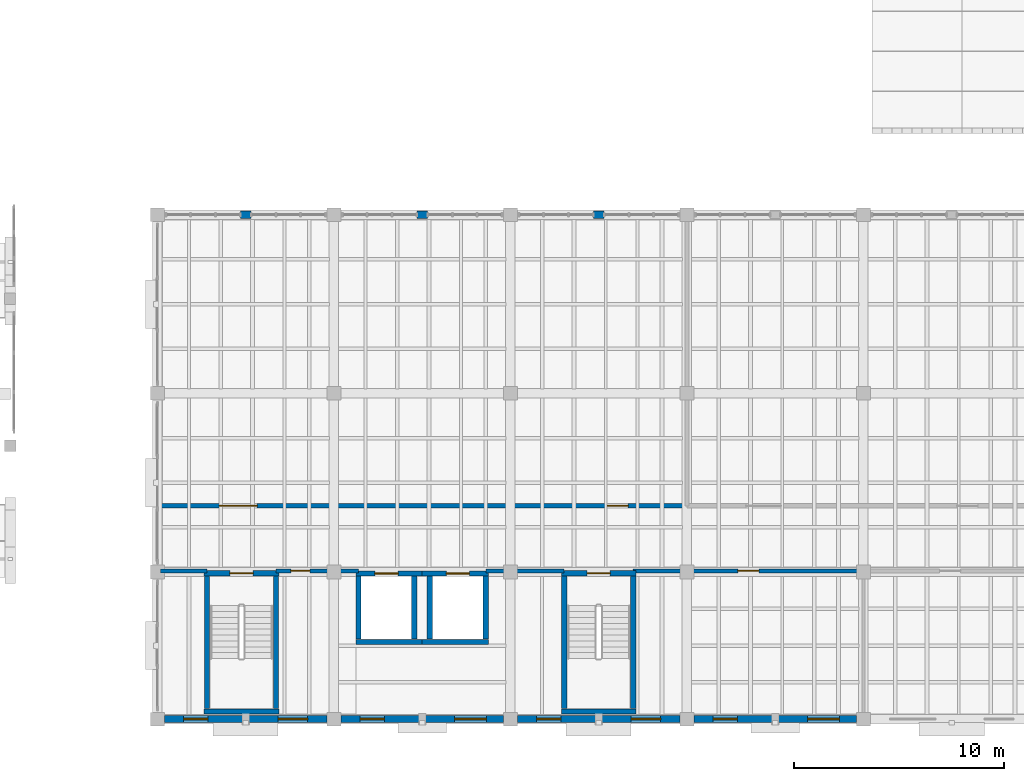
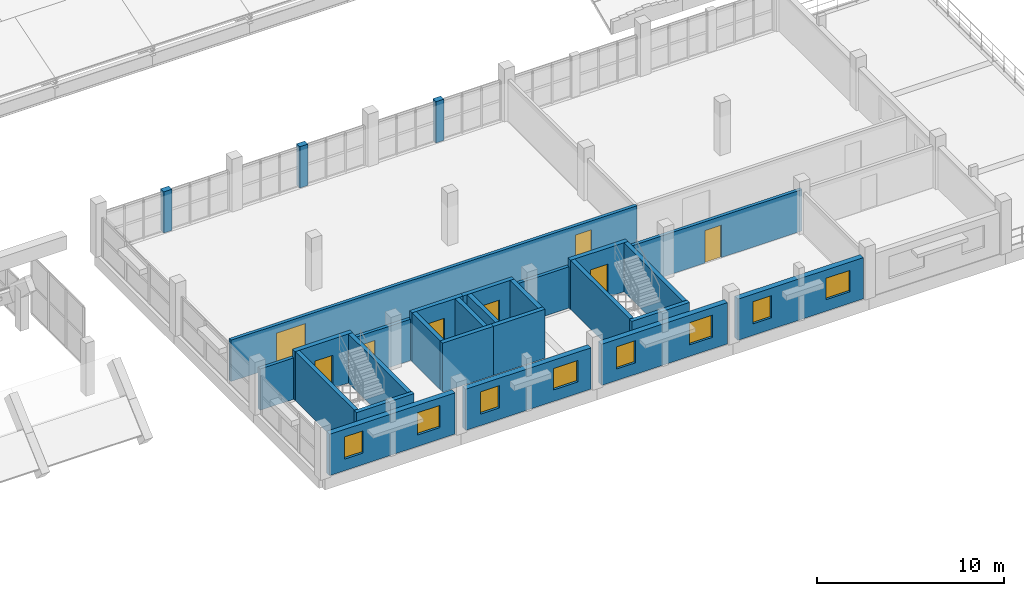
# One storey, part 36 of 48: 28 walls, 8 doors, 8 windows, 16 openings.
"""IFC4 building model written with IfcOpenShell, lengths in metres."""

import ifcopenshell
import ifcopenshell.guid

model = None  # the IFC model being written
_history = None  # IfcOwnerHistory: only IFC2X3 demands one
_inside = {}  # id of a spatial element -> (the spatial element, [elements in it])
_under = {}  # id of a project, library or spatial element -> (it, [spatial elements below it])
_declared = {}  # id of a project -> (the project, [libraries it declares])
_typed = {}  # id of a type object -> (the type object, [elements of that type])
_made_of = {}  # id of a material, layer set ... -> (it, [elements and type objects made of it])


def new_model(schema):
    """Start an empty IFC model of exactly this schema.

    Asked for "IFC4X3", IfcOpenShell would pick the latest addendum, in which some entities
    have other attributes; the version numbers below select the first issue.
    IFC2X3 requires an IfcOwnerHistory on every rooted entity: one is made here for all.
    """
    global model, _history
    if schema == "IFC4X3":
        model = ifcopenshell.file(schema_version=(4, 3, 0, 0))
    else:
        model = ifcopenshell.file(schema=schema)
    _inside.clear()
    _under.clear()
    _declared.clear()
    _typed.clear()
    _made_of.clear()
    _history = None
    if model.schema == "IFC2X3":
        org = make("IfcOrganization", Name="unknown")
        user = make(
            "IfcPersonAndOrganization",
            ThePerson=make("IfcPerson", FamilyName="unknown"),
            TheOrganization=org,
        )
        app = make(
            "IfcApplication",
            ApplicationDeveloper=org,
            Version="unknown",
            ApplicationFullName="unknown",
            ApplicationIdentifier="unknown",
        )
        _history = make(
            "IfcOwnerHistory",
            OwningUser=user,
            OwningApplication=app,
            ChangeAction="ADDED",
            CreationDate=0,
        )
    return model


def make(cls, **values):
    """One entity of the class cls with the attributes given. An attribute that is None is left unset."""
    return model.create_entity(
        cls, **{name: value for name, value in values.items() if value is not None}
    )


def rooted(cls, **values):
    """An entity with a GlobalId (a new one), such as an element, a storey or a relation."""
    return make(cls, GlobalId=ifcopenshell.guid.new(), OwnerHistory=_history, **values)


def si_unit(unit_type, name, prefix=None):
    """IfcSIUnit, for example si_unit("LENGTHUNIT", "METRE", prefix="MILLI")."""
    return make("IfcSIUnit", UnitType=unit_type, Prefix=prefix, Name=name)


def assignment(units):
    """IfcUnitAssignment: the units of a project."""
    return None if units is None else make("IfcUnitAssignment", Units=units)


def point(xyz):
    """IfcCartesianPoint."""
    return None if xyz is None else make("IfcCartesianPoint", Coordinates=xyz)


def direction(xyz):
    """IfcDirection."""
    return None if xyz is None else make("IfcDirection", DirectionRatios=xyz)


def frame(location, z_axis=None, x_axis=None):
    """IfcAxis2Placement3D, a coordinate frame: its origin and axes. An axis left out is left unset."""
    return make(
        "IfcAxis2Placement3D",
        Location=point(location),
        Axis=direction(z_axis),
        RefDirection=direction(x_axis),
    )


def frame_2d(location, x_axis=None):
    """IfcAxis2Placement2D, a coordinate frame in the plane: its origin and x axis."""
    return make(
        "IfcAxis2Placement2D", Location=point(location), RefDirection=direction(x_axis)
    )


def origin():
    """The frame at (0, 0, 0) with its axes left unset."""
    return frame((0.0, 0.0, 0.0))


def place(relative_to, where):
    """IfcLocalPlacement: puts the frame where relative to a parent placement (None: the world)."""
    return make(
        "IfcLocalPlacement", PlacementRelTo=relative_to, RelativePlacement=where
    )


def context(
    kind, dimensions, precision=None, world=None, true_north=None, identifier=None
):
    """IfcGeometricRepresentationContext, for example the 3D "Model" context."""
    return make(
        "IfcGeometricRepresentationContext",
        ContextIdentifier=identifier,
        ContextType=kind,
        CoordinateSpaceDimension=dimensions,
        Precision=precision,
        WorldCoordinateSystem=world,
        TrueNorth=true_north,
    )


def subcontext(parent, identifier, kind, view, scale=None):
    """IfcGeometricRepresentationSubContext, for example "Body" below "Model"."""
    return make(
        "IfcGeometricRepresentationSubContext",
        ContextIdentifier=identifier,
        ContextType=kind,
        ParentContext=parent,
        TargetScale=scale,
        TargetView=view,
    )


def project(units=None, contexts=None):
    """IfcProject with its units and contexts."""
    return rooted(
        "IfcProject",
        Name="project",
        RepresentationContexts=contexts,
        UnitsInContext=assignment(units),
    )


def spatial(cls, under=None, at=None, **own):
    """A site, building, storey or space (cls), placed at a placement, below another one or the project."""
    s = rooted(cls, ObjectPlacement=at, **own)
    if under is not None:
        _under.setdefault(under.id(), (under, []))[1].append(s)
    return s


def profile(cls, at=None, kind="AREA", **sizes):
    """A parametric profile (cls). Its sizes go by their IFC names, for example OverallWidth=200.0."""
    return make(cls, ProfileType=kind, Position=at, **sizes)


def rectangle(**sizes):
    """IfcRectangleProfileDef."""
    return profile("IfcRectangleProfileDef", **sizes)


def extrude(swept, where, along, depth):
    """IfcExtrudedAreaSolid: the profile swept, set in the frame where, extruded along a direction by depth."""
    return make(
        "IfcExtrudedAreaSolid",
        SweptArea=swept,
        Position=where,
        ExtrudedDirection=direction(along),
        Depth=depth,
    )


def shape(context_of_items, identifier, shape_type, items):
    """IfcShapeRepresentation: the items that make up one representation, for example the "Body"."""
    return make(
        "IfcShapeRepresentation",
        ContextOfItems=context_of_items,
        RepresentationIdentifier=identifier,
        RepresentationType=shape_type,
        Items=items,
    )


def material(Name=None, Category=None):
    """IfcMaterial."""
    return make("IfcMaterial", Name=Name, Category=Category)


def layer(
    of_material, thickness, ventilated=None, Name=None, Category=None, Priority=None
):
    """IfcMaterialLayer: one layer of a wall or slab, of a material (None: an air gap)."""
    return make(
        "IfcMaterialLayer",
        Material=of_material,
        LayerThickness=thickness,
        IsVentilated=ventilated,
        Name=Name,
        Category=Category,
        Priority=Priority,
    )


def layer_set(layers, Name=None):
    """IfcMaterialLayerSet."""
    return make("IfcMaterialLayerSet", MaterialLayers=layers, LayerSetName=Name)


def made_of(thing, what):
    """Note that an element or type object is made of a material, layer set ...; save() writes the relation."""
    if what is not None:
        _made_of.setdefault(what.id(), (what, []))[1].append(thing)
    return thing


def type_object(cls, material=None, **own):
    """A type object (cls), such as IfcWallType, which elements share."""
    return made_of(rooted(cls, **own), material)


def element(
    cls,
    number,
    at=None,
    inside=None,
    cuts=None,
    type_object=None,
    material=None,
    context=None,
    identifier="Body",
    shape_type=None,
    held_by="IfcProductDefinitionShape",
    body=None,
    shapes=None,
    **own,
):
    """One element of the class cls, such as IfcWall. Its Tag is "e" and its number.

    at: its placement. inside: the storey or other place that contains it. cuts: it is an
    opening in that element (IfcRelVoidsElement). A single representation is given by context,
    identifier, shape_type and body (its items); several are given by shapes. held_by: the class
    of the entity that holds the representations. save() writes the other relations.
    """
    e = rooted(cls, Tag="e%d" % number, ObjectPlacement=at, **own)
    if body is not None:
        shapes = [shape(context, identifier, shape_type, body)]
    if shapes is not None:
        e.Representation = make(held_by, Representations=shapes)
    if inside is not None:
        _inside.setdefault(inside.id(), (inside, []))[1].append(e)
    if cuts is not None:
        rooted(
            "IfcRelVoidsElement", RelatingBuildingElement=cuts, RelatedOpeningElement=e
        )
    if type_object is not None:
        _typed.setdefault(type_object.id(), (type_object, []))[1].append(e)
    return made_of(e, material)


def fill(opening, filler):
    """IfcRelFillsElement: the door or window that sits in an opening."""
    return rooted(
        "IfcRelFillsElement",
        RelatingOpeningElement=opening,
        RelatedBuildingElement=filler,
    )


def aggregate(whole, parts):
    """IfcRelAggregates: a whole, such as a stair, and the parts it consists of."""
    return rooted("IfcRelAggregates", RelatingObject=whole, RelatedObjects=parts)


def save(model, path):
    """Write the relations noted so far, then the file.

    IfcRelAggregates (storeys below a building ...), IfcRelContainedInSpatialStructure (elements
    in a storey), IfcRelDefinesByType, IfcRelAssociatesMaterial and IfcRelDeclares: one each for
    every whole, place, type object, material and project.
    """
    for whole, parts in _under.values():
        aggregate(whole, parts)
    for where, things in _inside.values():
        rooted(
            "IfcRelContainedInSpatialStructure",
            RelatedElements=things,
            RelatingStructure=where,
        )
    for kind, things in _typed.values():
        rooted("IfcRelDefinesByType", RelatedObjects=things, RelatingType=kind)
    for what, things in _made_of.values():
        rooted("IfcRelAssociatesMaterial", RelatedObjects=things, RelatingMaterial=what)
    for by, libraries in _declared.values():
        rooted("IfcRelDeclares", RelatingContext=by, RelatedDefinitions=libraries)
    model.write(path)


model = new_model("IFC4")

# Units and contexts
model_context = context("Model", 3, precision=1e-05, world=origin(), true_north=direction((0.0, 1.0)))
body_context = subcontext(model_context, "Body", "Model", "MODEL_VIEW")
ifc_project = project(units=[si_unit("LENGTHUNIT", "METRE"), si_unit("AREAUNIT", "SQUARE_METRE"), si_unit("VOLUMEUNIT", "CUBIC_METRE"), si_unit("PLANEANGLEUNIT", "RADIAN"), si_unit("MASSUNIT", "GRAM", prefix="KILO")], contexts=[model_context])

# Site, building, storey
site_placement = place(None, origin())
site = spatial("IfcSite", under=ifc_project, at=site_placement, CompositionType="ELEMENT")
building_placement = place(site_placement, origin())
building = spatial("IfcBuilding", under=site, at=building_placement, Name="Trellovar Central Fire Station", CompositionType="ELEMENT")
storey_placement = place(building_placement, frame((0.0, 0.0, 9.300048828125)))
storey = spatial("IfcBuildingStorey", under=building, at=storey_placement, Name="L03", CompositionType="ELEMENT", Elevation=9.300048828125)

# Wall, openings, windows
ifc_material_1 = material(Name="Textured desert sandstone masonry", Category="masonry")
ifc_layer_1 = layer(ifc_material_1, 0.340087890625)
ifc_layer_set_1 = layer_set([ifc_layer_1], Name="Textured desert sandstone masonry")
wall_type_1 = type_object("IfcWallType", Name="EW-3", PredefinedType="STANDARD", material=ifc_layer_set_1)
wall_1_placement = place(storey_placement, frame((105.824951171875, 9.0, 0.0), z_axis=(0.0, 0.0, 1.0), x_axis=(1.0, 0.0, 0.0)))
wall_1 = element("IfcWall", 1, at=wall_1_placement, inside=storey, type_object=wall_type_1, Name="V5 L03 south wall 1", PredefinedType="STANDARD", context=body_context, shape_type="SweptSolid", body=[
    extrude(rectangle(XDim=7.75, YDim=0.340087890625, at=frame_2d((3.875, 0.0))), origin(), (0.0, 0.0, 1.0), 2.68994140625),
])
opening_1_placement = place(wall_1_placement, frame((0.925048828125, 0.0, 0.75)))
opening_1 = element("IfcOpeningElement", 2, at=opening_1_placement, cuts=wall_1, Name="Opening W-01", PredefinedType="OPENING", context=body_context, shape_type="SweptSolid", body=[
    extrude(rectangle(XDim=1.14990234375, YDim=1.449951171875, at=frame_2d((0.574951171875, 0.72509765625))), frame((0.0, 0.179931640625, 0.0), z_axis=(0.0, -1.0, 0.0), x_axis=(1.0, 0.0, 0.0)), (0.0, 0.0, 1.0), 0.360107421875),
])
opening_2_placement = place(wall_1_placement, frame((5.425048828125, 0.0, 0.75)))
opening_2 = element("IfcOpeningElement", 3, at=opening_2_placement, cuts=wall_1, Name="Opening W-22", PredefinedType="OPENING", context=body_context, shape_type="SweptSolid", body=[
    extrude(rectangle(XDim=1.39990234375, YDim=1.449951171875, at=frame_2d((0.699951171875, 0.72509765625))), frame((0.0, 0.179931640625, 0.0), z_axis=(0.0, -1.0, 0.0), x_axis=(1.0, 0.0, 0.0)), (0.0, 0.0, 1.0), 0.360107421875),
])
ifc_material_2 = material(Name="Thermally broken bronze anodized aluminum", Category="aluminium")
window_type_1 = type_object("IfcWindowType", Name="WIN-01", PartitioningType="SINGLE_PANEL", PredefinedType="WINDOW", material=ifc_material_2)
window_1_placement = place(opening_1_placement, origin())
window_1 = element("IfcWindow", 4, at=window_1_placement, inside=storey, type_object=window_type_1, Name="L03 window W-01", OverallHeight=1.449951171875, OverallWidth=1.14990234375, PartitioningType="SINGLE_PANEL", PredefinedType="WINDOW", context=body_context, shape_type="SweptSolid", body=[
    extrude(rectangle(XDim=1.14990234375, YDim=1.449951171875, at=frame_2d((0.574951171875, 0.72509765625))), frame((0.0, 0.030029296875, 0.0), z_axis=(0.0, -1.0, 0.0), x_axis=(1.0, 0.0, 0.0)), (0.0, 0.0, 1.0), 0.06005859375),
])
fill(opening_1, window_1)
ifc_material_3 = material(Name="Thermally broken bronze anodized aluminum", Category="aluminium")
window_type_2 = type_object("IfcWindowType", Name="WIN-22", PartitioningType="DOUBLE_PANEL_VERTICAL", PredefinedType="WINDOW", material=ifc_material_3)
window_2_placement = place(opening_2_placement, origin())
window_2 = element("IfcWindow", 5, at=window_2_placement, inside=storey, type_object=window_type_2, Name="L03 window W-22", OverallHeight=1.449951171875, OverallWidth=1.39990234375, PartitioningType="DOUBLE_PANEL_VERTICAL", PredefinedType="WINDOW", context=body_context, shape_type="SweptSolid", body=[
    extrude(rectangle(XDim=1.39990234375, YDim=1.449951171875, at=frame_2d((0.699951171875, 0.72509765625))), frame((0.0, 0.030029296875, 0.0), z_axis=(0.0, -1.0, 0.0), x_axis=(1.0, 0.0, 0.0)), (0.0, 0.0, 1.0), 0.06005859375),
])
fill(opening_2, window_2)

wall_2_placement = place(storey_placement, frame((114.22509765625, 9.0, 0.0), z_axis=(0.0, 0.0, 1.0), x_axis=(1.0, 0.0, 0.0)))
wall_2 = element("IfcWall", 6, at=wall_2_placement, inside=storey, type_object=wall_type_1, Name="V5 L03 south wall 2", PredefinedType="STANDARD", context=body_context, shape_type="SweptSolid", body=[
    extrude(rectangle(XDim=7.75, YDim=0.340087890625, at=frame_2d((3.875, 0.0))), origin(), (0.0, 0.0, 1.0), 2.68994140625),
])
opening_3_placement = place(wall_2_placement, frame((0.925048828125, 0.0, 0.75)))
opening_3 = element("IfcOpeningElement", 7, at=opening_3_placement, cuts=wall_2, Name="Opening W-01", PredefinedType="OPENING", context=body_context, shape_type="SweptSolid", body=[
    extrude(rectangle(XDim=1.14990234375, YDim=1.449951171875, at=frame_2d((0.574951171875, 0.72509765625))), frame((0.0, 0.179931640625, 0.0), z_axis=(0.0, -1.0, 0.0), x_axis=(1.0, 0.0, 0.0)), (0.0, 0.0, 1.0), 0.360107421875),
])
opening_4_placement = place(wall_2_placement, frame((5.425048828125, 0.0, 0.75)))
opening_4 = element("IfcOpeningElement", 8, at=opening_4_placement, cuts=wall_2, Name="Opening W-18", PredefinedType="OPENING", context=body_context, shape_type="SweptSolid", body=[
    extrude(rectangle(XDim=1.5, YDim=1.39990234375, at=frame_2d((0.75, 0.699951171875))), frame((0.0, 0.179931640625, 0.0), z_axis=(0.0, -1.0, 0.0), x_axis=(1.0, 0.0, 0.0)), (0.0, 0.0, 1.0), 0.360107421875),
])
window_3_placement = place(opening_3_placement, origin())
window_3 = element("IfcWindow", 9, at=window_3_placement, inside=storey, type_object=window_type_1, Name="L03 window W-01", OverallHeight=1.449951171875, OverallWidth=1.14990234375, PartitioningType="SINGLE_PANEL", PredefinedType="WINDOW", context=body_context, shape_type="SweptSolid", body=[
    extrude(rectangle(XDim=1.14990234375, YDim=1.449951171875, at=frame_2d((0.574951171875, 0.72509765625))), frame((0.0, 0.030029296875, 0.0), z_axis=(0.0, -1.0, 0.0), x_axis=(1.0, 0.0, 0.0)), (0.0, 0.0, 1.0), 0.06005859375),
])
fill(opening_3, window_3)
ifc_material_4 = material(Name="Thermally broken bronze anodized aluminum", Category="aluminium")
window_type_3 = type_object("IfcWindowType", Name="WIN-18", PartitioningType="DOUBLE_PANEL_VERTICAL", PredefinedType="WINDOW", material=ifc_material_4)
window_4_placement = place(opening_4_placement, origin())
window_4 = element("IfcWindow", 10, at=window_4_placement, inside=storey, type_object=window_type_3, Name="L03 window W-18", OverallHeight=1.39990234375, OverallWidth=1.5, PartitioningType="DOUBLE_PANEL_VERTICAL", PredefinedType="WINDOW", context=body_context, shape_type="SweptSolid", body=[
    extrude(rectangle(XDim=1.5, YDim=1.39990234375, at=frame_2d((0.75, 0.699951171875))), frame((0.0, 0.030029296875, 0.0), z_axis=(0.0, -1.0, 0.0), x_axis=(1.0, 0.0, 0.0)), (0.0, 0.0, 1.0), 0.06005859375),
])
fill(opening_4, window_4)

wall_3_placement = place(storey_placement, frame((122.625, 9.0, 0.0), z_axis=(0.0, 0.0, 1.0), x_axis=(1.0, 0.0, 0.0)))
wall_3 = element("IfcWall", 11, at=wall_3_placement, inside=storey, type_object=wall_type_1, Name="V5 L03 south wall 3", PredefinedType="STANDARD", context=body_context, shape_type="SweptSolid", body=[
    extrude(rectangle(XDim=7.75, YDim=0.340087890625, at=frame_2d((3.875, 0.0))), origin(), (0.0, 0.0, 1.0), 2.68994140625),
])
opening_5_placement = place(wall_3_placement, frame((0.925048828125, 0.0, 0.75)))
opening_5 = element("IfcOpeningElement", 12, at=opening_5_placement, cuts=wall_3, Name="Opening W-01", PredefinedType="OPENING", context=body_context, shape_type="SweptSolid", body=[
    extrude(rectangle(XDim=1.14990234375, YDim=1.449951171875, at=frame_2d((0.574951171875, 0.72509765625))), frame((0.0, 0.179931640625, 0.0), z_axis=(0.0, -1.0, 0.0), x_axis=(1.0, 0.0, 0.0)), (0.0, 0.0, 1.0), 0.360107421875),
])
opening_6_placement = place(wall_3_placement, frame((5.425048828125, 0.0, 0.75)))
opening_6 = element("IfcOpeningElement", 13, at=opening_6_placement, cuts=wall_3, Name="Opening W-22", PredefinedType="OPENING", context=body_context, shape_type="SweptSolid", body=[
    extrude(rectangle(XDim=1.39990234375, YDim=1.449951171875, at=frame_2d((0.699951171875, 0.72509765625))), frame((0.0, 0.179931640625, 0.0), z_axis=(0.0, -1.0, 0.0), x_axis=(1.0, 0.0, 0.0)), (0.0, 0.0, 1.0), 0.360107421875),
])
window_5_placement = place(opening_5_placement, origin())
window_5 = element("IfcWindow", 14, at=window_5_placement, inside=storey, type_object=window_type_1, Name="L03 window W-01", OverallHeight=1.449951171875, OverallWidth=1.14990234375, PartitioningType="SINGLE_PANEL", PredefinedType="WINDOW", context=body_context, shape_type="SweptSolid", body=[
    extrude(rectangle(XDim=1.14990234375, YDim=1.449951171875, at=frame_2d((0.574951171875, 0.72509765625))), frame((0.0, 0.030029296875, 0.0), z_axis=(0.0, -1.0, 0.0), x_axis=(1.0, 0.0, 0.0)), (0.0, 0.0, 1.0), 0.06005859375),
])
fill(opening_5, window_5)
window_6_placement = place(opening_6_placement, origin())
window_6 = element("IfcWindow", 15, at=window_6_placement, inside=storey, type_object=window_type_2, Name="L03 window W-22", OverallHeight=1.449951171875, OverallWidth=1.39990234375, PartitioningType="DOUBLE_PANEL_VERTICAL", PredefinedType="WINDOW", context=body_context, shape_type="SweptSolid", body=[
    extrude(rectangle(XDim=1.39990234375, YDim=1.449951171875, at=frame_2d((0.699951171875, 0.72509765625))), frame((0.0, 0.030029296875, 0.0), z_axis=(0.0, -1.0, 0.0), x_axis=(1.0, 0.0, 0.0)), (0.0, 0.0, 1.0), 0.06005859375),
])
fill(opening_6, window_6)

wall_4_placement = place(storey_placement, frame((131.02490234375, 9.0, 0.0), z_axis=(0.0, 0.0, 1.0), x_axis=(1.0, 0.0, 0.0)))
wall_4 = element("IfcWall", 16, at=wall_4_placement, inside=storey, type_object=wall_type_1, Name="V5 L03 south wall 4", PredefinedType="STANDARD", context=body_context, shape_type="SweptSolid", body=[
    extrude(rectangle(XDim=7.75, YDim=0.340087890625, at=frame_2d((3.875, 0.0))), origin(), (0.0, 0.0, 1.0), 2.68994140625),
])
opening_7_placement = place(wall_4_placement, frame((0.925048828125, 0.0, 0.75)))
opening_7 = element("IfcOpeningElement", 17, at=opening_7_placement, cuts=wall_4, Name="Opening W-01", PredefinedType="OPENING", context=body_context, shape_type="SweptSolid", body=[
    extrude(rectangle(XDim=1.14990234375, YDim=1.449951171875, at=frame_2d((0.574951171875, 0.72509765625))), frame((0.0, 0.179931640625, 0.0), z_axis=(0.0, -1.0, 0.0), x_axis=(1.0, 0.0, 0.0)), (0.0, 0.0, 1.0), 0.360107421875),
])
opening_8_placement = place(wall_4_placement, frame((5.425048828125, 0.0, 0.75)))
opening_8 = element("IfcOpeningElement", 18, at=opening_8_placement, cuts=wall_4, Name="Opening W-18", PredefinedType="OPENING", context=body_context, shape_type="SweptSolid", body=[
    extrude(rectangle(XDim=1.5, YDim=1.39990234375, at=frame_2d((0.75, 0.699951171875))), frame((0.0, 0.179931640625, 0.0), z_axis=(0.0, -1.0, 0.0), x_axis=(1.0, 0.0, 0.0)), (0.0, 0.0, 1.0), 0.360107421875),
])
window_7_placement = place(opening_7_placement, origin())
window_7 = element("IfcWindow", 19, at=window_7_placement, inside=storey, type_object=window_type_1, Name="L03 window W-01", OverallHeight=1.449951171875, OverallWidth=1.14990234375, PartitioningType="SINGLE_PANEL", PredefinedType="WINDOW", context=body_context, shape_type="SweptSolid", body=[
    extrude(rectangle(XDim=1.14990234375, YDim=1.449951171875, at=frame_2d((0.574951171875, 0.72509765625))), frame((0.0, 0.030029296875, 0.0), z_axis=(0.0, -1.0, 0.0), x_axis=(1.0, 0.0, 0.0)), (0.0, 0.0, 1.0), 0.06005859375),
])
fill(opening_7, window_7)
window_8_placement = place(opening_8_placement, origin())
window_8 = element("IfcWindow", 20, at=window_8_placement, inside=storey, type_object=window_type_3, Name="L03 window W-18", OverallHeight=1.39990234375, OverallWidth=1.5, PartitioningType="DOUBLE_PANEL_VERTICAL", PredefinedType="WINDOW", context=body_context, shape_type="SweptSolid", body=[
    extrude(rectangle(XDim=1.5, YDim=1.39990234375, at=frame_2d((0.75, 0.699951171875))), frame((0.0, 0.030029296875, 0.0), z_axis=(0.0, -1.0, 0.0), x_axis=(1.0, 0.0, 0.0)), (0.0, 0.0, 1.0), 0.06005859375),
])
fill(opening_8, window_8)

# Walls
for number, where, z_axis, x_axis, name in (
    (21, (109.949951171875, 33.0, 0.0), (0.0, 0.0, 1.0), (-1.0, 0.0, 0.0), "V5 L03 north mullion pier"),
    (22, (118.35009765625, 33.0, 0.0), (0.0, 0.0, 1.0), (-1.0, 0.0, 0.0), "V5 L03 north mullion pier"),
    (23, (126.75, 33.0, 0.0), (0.0, 0.0, 1.0), (-1.0, 0.0, 0.0), "V5 L03 north mullion pier"),
):
    element("IfcWall", number, at=place(storey_placement, frame(where, z_axis=z_axis, x_axis=x_axis)), inside=storey, type_object=wall_type_1, Name=name, PredefinedType="STANDARD", context=body_context, shape_type="SweptSolid", body=[
        extrude(rectangle(XDim=0.5, YDim=0.340087890625, at=frame_2d((0.25, 0.0))), origin(), (0.0, 0.0, 1.0), 2.68994140625),
    ])
ifc_material_5 = material(Name="Acoustic concrete masonry unit", Category="masonry")
ifc_layer_2 = layer(ifc_material_5, 0.199951171875)
ifc_layer_set_2 = layer_set([ifc_layer_2], Name="Acoustic concrete masonry unit")
wall_type_2 = type_object("IfcWallType", Name="PT-1", PredefinedType="PARTITIONING", material=ifc_layer_set_2)
wall_5_placement = place(storey_placement, frame((105.64990234375, 16.050048828125, 0.0), z_axis=(0.0, 0.0, 1.0), x_axis=(1.0, 0.0, 0.0)))
element("IfcWall", 24, at=wall_5_placement, inside=storey, type_object=wall_type_2, Name="V5 L03 south corridor spine", PredefinedType="PARTITIONING", context=body_context, shape_type="SweptSolid", body=[
    extrude(rectangle(XDim=2.210205078125, YDim=0.199951171875, at=frame_2d((1.10498046875, 0.0))), origin(), (0.0, 0.0, 1.0), 2.699951171875),
])

# Wall, opening, door
wall_6_placement = place(storey_placement, frame((111.139892578125, 16.050048828125, 0.0), z_axis=(0.0, 0.0, 1.0), x_axis=(1.0, 0.0, 0.0)))
wall_6 = element("IfcWall", 25, at=wall_6_placement, inside=storey, type_object=wall_type_2, Name="V5 L03 south corridor spine", PredefinedType="PARTITIONING", context=body_context, shape_type="SweptSolid", body=[
    extrude(rectangle(XDim=3.93017578125, YDim=0.199951171875, at=frame_2d((1.965087890625, 0.0))), origin(), (0.0, 0.0, 1.0), 2.699951171875),
])
opening_9_placement = place(wall_6_placement, frame((0.715087890625, 0.0, 0.0)))
opening_9 = element("IfcOpeningElement", 26, at=opening_9_placement, cuts=wall_6, Name="Opening ID-11", PredefinedType="OPENING", context=body_context, shape_type="SweptSolid", body=[
    extrude(rectangle(XDim=0.89990234375, YDim=2.080078125, at=frame_2d((0.449951171875, 1.0400390625))), frame((0.0, 0.10986328125, 0.0), z_axis=(0.0, -1.0, 0.0), x_axis=(1.0, 0.0, 0.0)), (0.0, 0.0, 1.0), 0.219970703125),
])
ifc_material_6 = material(Name="Solid core acoustic white oak veneer", Category="wood")
door_type_1 = type_object("IfcDoorType", Name="DR-INT11", OperationType="SINGLE_SWING_LEFT", PredefinedType="DOOR", material=ifc_material_6)
door_1_placement = place(opening_9_placement, origin())
door_1 = element("IfcDoor", 27, at=door_1_placement, inside=storey, type_object=door_type_1, Name="V5 L03 south bay door", OperationType="SINGLE_SWING_RIGHT", OverallHeight=2.080078125, OverallWidth=0.89990234375, PredefinedType="DOOR", context=body_context, shape_type="SweptSolid", body=[
    extrude(rectangle(XDim=0.89990234375, YDim=2.080078125, at=frame_2d((0.449951171875, 1.0400390625))), frame((0.0, 0.02490234375, 0.0), z_axis=(0.0, -1.0, 0.0), x_axis=(1.0, 0.0, 0.0)), (0.0, 0.0, 1.0), 0.050048828125),
])
fill(opening_9, door_1)

# Wall
wall_7_placement = place(storey_placement, frame((121.1298828125, 16.050048828125, 0.0), z_axis=(0.0, 0.0, 1.0), x_axis=(1.0, 0.0, 0.0)))
element("IfcWall", 28, at=wall_7_placement, inside=storey, type_object=wall_type_2, Name="V5 L03 south corridor spine", PredefinedType="PARTITIONING", context=body_context, shape_type="SweptSolid", body=[
    extrude(rectangle(XDim=3.730224609375, YDim=0.199951171875, at=frame_2d((1.865234375, 0.0))), origin(), (0.0, 0.0, 1.0), 2.699951171875),
])

# Wall, opening, door
wall_8_placement = place(storey_placement, frame((128.139892578125, 16.050048828125, 0.0), z_axis=(0.0, 0.0, 1.0), x_axis=(1.0, 0.0, 0.0)))
wall_8 = element("IfcWall", 29, at=wall_8_placement, inside=storey, type_object=wall_type_2, Name="V5 L03 south corridor spine", PredefinedType="PARTITIONING", context=body_context, shape_type="SweptSolid", body=[
    extrude(rectangle(XDim=10.960205078125, YDim=0.199951171875, at=frame_2d((5.47998046875, 0.0))), origin(), (0.0, 0.0, 1.0), 2.699951171875),
])
opening_10_placement = place(wall_8_placement, frame((4.97998046875, 0.0, 0.0)))
opening_10 = element("IfcOpeningElement", 30, at=opening_10_placement, cuts=wall_8, Name="Opening ID-1", PredefinedType="OPENING", context=body_context, shape_type="SweptSolid", body=[
    extrude(rectangle(XDim=1.0, YDim=2.1201171875, at=frame_2d((0.5, 1.06005859375))), frame((0.0, 0.10986328125, 0.0), z_axis=(0.0, -1.0, 0.0), x_axis=(1.0, 0.0, 0.0)), (0.0, 0.0, 1.0), 0.219970703125),
])
ifc_material_7 = material(Name="Solid core acoustic white oak veneer", Category="wood")
door_type_2 = type_object("IfcDoorType", Name="DR-INT1", OperationType="SINGLE_SWING_LEFT", PredefinedType="DOOR", material=ifc_material_7)
door_2_placement = place(opening_10_placement, origin())
door_2 = element("IfcDoor", 31, at=door_2_placement, inside=storey, type_object=door_type_2, Name="V5 L03 south bay door", OperationType="SINGLE_SWING_LEFT", OverallHeight=2.1201171875, OverallWidth=1.0, PredefinedType="DOOR", context=body_context, shape_type="SweptSolid", body=[
    extrude(rectangle(XDim=1.0, YDim=2.1201171875, at=frame_2d((0.5, 1.06005859375))), frame((0.0, 0.02490234375, 0.0), z_axis=(0.0, -1.0, 0.0), x_axis=(1.0, 0.0, 0.0)), (0.0, 0.0, 1.0), 0.050048828125),
])
fill(opening_10, door_2)

# Wall, openings, doors
wall_9_placement = place(storey_placement, frame((105.64990234375, 19.14990234375, 0.0), z_axis=(0.0, 0.0, 1.0), x_axis=(1.0, 0.0, 0.0)))
wall_9 = element("IfcWall", 32, at=wall_9_placement, inside=storey, type_object=wall_type_2, Name="V5 L03 north corridor spine", PredefinedType="PARTITIONING", context=body_context, shape_type="SweptSolid", body=[
    extrude(rectangle(XDim=25.050048828125, YDim=0.199951171875, at=frame_2d((12.52490234375, 0.0))), origin(), (0.0, 0.0, 1.0), 2.699951171875),
])
opening_11_placement = place(wall_9_placement, frame((2.800048828125, 0.0, 0.0)))
opening_11 = element("IfcOpeningElement", 33, at=opening_11_placement, cuts=wall_9, Name="Opening ID-3", PredefinedType="OPENING", context=body_context, shape_type="SweptSolid", body=[
    extrude(rectangle(XDim=1.800048828125, YDim=2.179931640625, at=frame_2d((0.89990234375, 1.08984375))), frame((0.0, 0.10986328125, 0.0), z_axis=(0.0, -1.0, 0.0), x_axis=(1.0, 0.0, 0.0)), (0.0, 0.0, 1.0), 0.219970703125),
])
opening_12_placement = place(wall_9_placement, frame((21.25, 0.0, 0.0)))
opening_12 = element("IfcOpeningElement", 34, at=opening_12_placement, cuts=wall_9, Name="Opening ID-1", PredefinedType="OPENING", context=body_context, shape_type="SweptSolid", body=[
    extrude(rectangle(XDim=1.0, YDim=2.1201171875, at=frame_2d((0.5, 1.06005859375))), frame((0.0, 0.10986328125, 0.0), z_axis=(0.0, -1.0, 0.0), x_axis=(1.0, 0.0, 0.0)), (0.0, 0.0, 1.0), 0.219970703125),
])
door_3_placement = place(opening_12_placement, origin())
door_3 = element("IfcDoor", 35, at=door_3_placement, inside=storey, type_object=door_type_2, Name="V5 L03 north secondary egress door", OperationType="SINGLE_SWING_LEFT", OverallHeight=2.1201171875, OverallWidth=1.0, PredefinedType="DOOR", context=body_context, shape_type="SweptSolid", body=[
    extrude(rectangle(XDim=1.0, YDim=2.1201171875, at=frame_2d((0.5, 1.06005859375))), frame((0.0, 0.02490234375, 0.0), z_axis=(0.0, -1.0, 0.0), x_axis=(1.0, 0.0, 0.0)), (0.0, 0.0, 1.0), 0.050048828125),
])
fill(opening_12, door_3)
ifc_material_8 = material(Name="Hollow galvanized steel with acoustic core", Category="steel")
door_type_3 = type_object("IfcDoorType", Name="DR-INT3", OperationType="DOUBLE_DOOR_SINGLE_SWING", PredefinedType="DOOR", material=ifc_material_8)
door_4_placement = place(opening_11_placement, origin())
door_4 = element("IfcDoor", 36, at=door_4_placement, inside=storey, type_object=door_type_3, Name="V5 L03 north hall door", OperationType="DOUBLE_DOOR_SINGLE_SWING", OverallHeight=2.179931640625, OverallWidth=1.800048828125, PredefinedType="DOOR", context=body_context, shape_type="SweptSolid", body=[
    extrude(rectangle(XDim=1.800048828125, YDim=2.179931640625, at=frame_2d((0.89990234375, 1.08984375))), frame((0.0, 0.02490234375, 0.0), z_axis=(0.0, -1.0, 0.0), x_axis=(1.0, 0.0, 0.0)), (0.0, 0.0, 1.0), 0.050048828125),
])
fill(opening_11, door_4)

# Wall, opening, door
ifc_material_9 = material(Name="Concrete C40/50", Category="concrete")
ifc_layer_3 = layer(ifc_material_9, 0.280029296875)
ifc_layer_set_3 = layer_set([ifc_layer_3], Name="Concrete C40/50")
wall_type_3 = type_object("IfcWallType", Name="SW-1", PredefinedType="SHEAR", material=ifc_layer_set_3)
wall_10_placement = place(storey_placement, frame((107.719970703125, 15.93994140625, 0.0), z_axis=(0.0, 0.0, 1.0), x_axis=(1.0, 0.0, 0.0)))
wall_10 = element("IfcWall", 37, at=wall_10_placement, inside=storey, type_object=wall_type_3, Name="Stair ST-01 L03 front corridor wall", PredefinedType="SHEAR", context=body_context, shape_type="SweptSolid", body=[
    extrude(rectangle(XDim=3.56005859375, YDim=0.280029296875, at=frame_2d((1.780029296875, 0.0))), origin(), (0.0, 0.0, 1.0), 3.199951171875),
])
opening_13_placement = place(wall_10_placement, frame((1.22998046875, 0.0, 0.0)))
opening_13 = element("IfcOpeningElement", 38, at=opening_13_placement, cuts=wall_10, Name="Opening SD-2", PredefinedType="OPENING", context=body_context, shape_type="SweptSolid", body=[
    extrude(rectangle(XDim=1.10009765625, YDim=2.14990234375, at=frame_2d((0.550048828125, 1.074951171875))), frame((0.0, 0.14990234375, 0.0), z_axis=(0.0, -1.0, 0.0), x_axis=(1.0, 0.0, 0.0)), (0.0, 0.0, 1.0), 0.300048828125),
])
ifc_material_10 = material(Name="Hollow galvanized steel with acoustic core", Category="steel")
door_type_4 = type_object("IfcDoorType", Name="DR-STR2", OperationType="SINGLE_SWING_LEFT", PredefinedType="DOOR", material=ifc_material_10)
door_5_placement = place(opening_13_placement, origin())
door_5 = element("IfcDoor", 39, at=door_5_placement, inside=storey, type_object=door_type_4, Name="Stair ST-01 L03 fire door", OperationType="SINGLE_SWING_LEFT", OverallHeight=2.14990234375, OverallWidth=1.10009765625, PredefinedType="DOOR", context=body_context, shape_type="SweptSolid", body=[
    extrude(rectangle(XDim=1.10009765625, YDim=2.14990234375, at=frame_2d((0.550048828125, 1.074951171875))), frame((0.0, 0.02490234375, 0.0), z_axis=(0.0, -1.0, 0.0), x_axis=(1.0, 0.0, 0.0)), (0.0, 0.0, 1.0), 0.050048828125),
])
fill(opening_13, door_5)

wall_11_placement = place(storey_placement, frame((124.719970703125, 15.93994140625, 0.0), z_axis=(0.0, 0.0, 1.0), x_axis=(1.0, 0.0, 0.0)))
wall_11 = element("IfcWall", 40, at=wall_11_placement, inside=storey, type_object=wall_type_3, Name="Stair ST-02 L03 front corridor wall", PredefinedType="SHEAR", context=body_context, shape_type="SweptSolid", body=[
    extrude(rectangle(XDim=3.56005859375, YDim=0.280029296875, at=frame_2d((1.780029296875, 0.0))), origin(), (0.0, 0.0, 1.0), 3.199951171875),
])
opening_14_placement = place(wall_11_placement, frame((1.22998046875, 0.0, 0.0)))
opening_14 = element("IfcOpeningElement", 41, at=opening_14_placement, cuts=wall_11, Name="Opening SD-2", PredefinedType="OPENING", context=body_context, shape_type="SweptSolid", body=[
    extrude(rectangle(XDim=1.10009765625, YDim=2.14990234375, at=frame_2d((0.550048828125, 1.074951171875))), frame((0.0, 0.14990234375, 0.0), z_axis=(0.0, -1.0, 0.0), x_axis=(1.0, 0.0, 0.0)), (0.0, 0.0, 1.0), 0.300048828125),
])
door_6_placement = place(opening_14_placement, origin())
door_6 = element("IfcDoor", 42, at=door_6_placement, inside=storey, type_object=door_type_4, Name="Stair ST-02 L03 fire door", OperationType="SINGLE_SWING_LEFT", OverallHeight=2.14990234375, OverallWidth=1.10009765625, PredefinedType="DOOR", context=body_context, shape_type="SweptSolid", body=[
    extrude(rectangle(XDim=1.10009765625, YDim=2.14990234375, at=frame_2d((0.550048828125, 1.074951171875))), frame((0.0, 0.02490234375, 0.0), z_axis=(0.0, -1.0, 0.0), x_axis=(1.0, 0.0, 0.0)), (0.0, 0.0, 1.0), 0.050048828125),
])
fill(opening_14, door_6)

# Walls
ifc_material_11 = material(Name="Concrete C40/50", Category="concrete")
ifc_layer_4 = layer(ifc_material_11, 0.25)
ifc_layer_set_4 = layer_set([ifc_layer_4], Name="Concrete C40/50")
wall_type_4 = type_object("IfcWallType", Name="SW-2", PredefinedType="SHEAR", material=ifc_layer_set_4)
wall_12_placement = place(storey_placement, frame((111.280029296875, 9.360107421875, 0.0), z_axis=(0.0, 0.0, 1.0), x_axis=(-1.0, 0.0, 0.0)))
element("IfcWall", 43, at=wall_12_placement, inside=storey, type_object=wall_type_4, Name="Stair ST-01 L03 rear wall", PredefinedType="SHEAR", context=body_context, shape_type="SweptSolid", body=[
    extrude(rectangle(XDim=3.56005859375, YDim=0.25, at=frame_2d((1.780029296875, 0.0))), origin(), (0.0, 0.0, 1.0), 3.199951171875),
])
for number, where, z_axis, x_axis, name in (
    (44, (107.860107421875, 15.800048828125, 0.0), (0.0, 0.0, 1.0), (0.0, -1.0, 0.0), "Stair ST-01 L03 left wall"),
    (45, (111.139892578125, 9.5, 0.0), (0.0, 0.0, 1.0), (0.0, 1.0, 0.0), "Stair ST-01 L03 right wall"),
):
    element("IfcWall", number, at=place(storey_placement, frame(where, z_axis=z_axis, x_axis=x_axis)), inside=storey, type_object=wall_type_4, Name=name, PredefinedType="SHEAR", context=body_context, shape_type="SweptSolid", body=[
        extrude(rectangle(XDim=6.300048828125, YDim=0.25, at=frame_2d((3.14990234375, 0.0))), origin(), (0.0, 0.0, 1.0), 3.199951171875),
    ])
wall_13_placement = place(storey_placement, frame((128.280029296875, 9.360107421875, 0.0), z_axis=(0.0, 0.0, 1.0), x_axis=(-1.0, 0.0, 0.0)))
element("IfcWall", 46, at=wall_13_placement, inside=storey, type_object=wall_type_4, Name="Stair ST-02 L03 rear wall", PredefinedType="SHEAR", context=body_context, shape_type="SweptSolid", body=[
    extrude(rectangle(XDim=3.56005859375, YDim=0.25, at=frame_2d((1.780029296875, 0.0))), origin(), (0.0, 0.0, 1.0), 3.199951171875),
])
for number, where, z_axis, x_axis, name in (
    (47, (124.860107421875, 15.800048828125, 0.0), (0.0, 0.0, 1.0), (0.0, -1.0, 0.0), "Stair ST-02 L03 left wall"),
    (48, (128.139892578125, 9.5, 0.0), (0.0, 0.0, 1.0), (0.0, 1.0, 0.0), "Stair ST-02 L03 right wall"),
):
    element("IfcWall", number, at=place(storey_placement, frame(where, z_axis=z_axis, x_axis=x_axis)), inside=storey, type_object=wall_type_4, Name=name, PredefinedType="SHEAR", context=body_context, shape_type="SweptSolid", body=[
        extrude(rectangle(XDim=6.300048828125, YDim=0.25, at=frame_2d((3.14990234375, 0.0))), origin(), (0.0, 0.0, 1.0), 3.199951171875),
    ])
ifc_material_12 = material(Name="Concrete C40/50", Category="concrete")
ifc_layer_5 = layer(ifc_material_12, 0.260009765625)
ifc_layer_set_5 = layer_set([ifc_layer_5], Name="Concrete C40/50")
wall_type_5 = type_object("IfcWallType", Name="SW-4", PredefinedType="SHEAR", material=ifc_layer_set_5)
wall_14_placement = place(storey_placement, frame((114.93994140625, 12.669921875, 0.0), z_axis=(0.0, 0.0, 1.0), x_axis=(1.0, 0.0, 0.0)))
element("IfcWall", 49, at=wall_14_placement, inside=storey, type_object=wall_type_5, Name="Lift EL-01 L03 S wall", PredefinedType="SHEAR", context=body_context, shape_type="SweptSolid", body=[
    extrude(rectangle(XDim=3.16015625, YDim=0.260009765625, at=frame_2d((1.580078125, 0.0))), origin(), (0.0, 0.0, 1.0), 3.199951171875),
])

# Wall, opening, door
wall_15_placement = place(storey_placement, frame((118.10009765625, 15.929931640625, 0.0), z_axis=(0.0, 0.0, 1.0), x_axis=(-1.0, 0.0, 0.0)))
wall_15 = element("IfcWall", 50, at=wall_15_placement, inside=storey, type_object=wall_type_5, Name="Lift EL-01 L03 N wall", PredefinedType="SHEAR", context=body_context, shape_type="SweptSolid", body=[
    extrude(rectangle(XDim=3.16015625, YDim=0.260009765625, at=frame_2d((1.580078125, 0.0))), origin(), (0.0, 0.0, 1.0), 3.199951171875),
])
opening_15_placement = place(wall_15_placement, frame((1.14990234375, 0.0, 0.0)))
opening_15 = element("IfcOpeningElement", 51, at=opening_15_placement, cuts=wall_15, Name="Opening LD-1", PredefinedType="OPENING", context=body_context, shape_type="SweptSolid", body=[
    extrude(rectangle(XDim=1.10009765625, YDim=2.14990234375, at=frame_2d((0.550048828125, 1.074951171875))), frame((0.0, 0.139892578125, 0.0), z_axis=(0.0, -1.0, 0.0), x_axis=(1.0, 0.0, 0.0)), (0.0, 0.0, 1.0), 0.280029296875),
])
ifc_material_13 = material(Name="Brushed stainless steel", Category="steel")
door_type_5 = type_object("IfcDoorType", Name="DR-LFT1", OperationType="SLIDING_TO_LEFT", PredefinedType="DOOR", material=ifc_material_13)
door_7_placement = place(opening_15_placement, origin())
door_7 = element("IfcDoor", 52, at=door_7_placement, inside=storey, type_object=door_type_5, Name="Elevator EL-01 L03 sliding landing door", OperationType="SLIDING_TO_LEFT", OverallHeight=2.14990234375, OverallWidth=1.10009765625, PredefinedType="DOOR", context=body_context, shape_type="SweptSolid", body=[
    extrude(rectangle(XDim=1.10009765625, YDim=2.14990234375, at=frame_2d((0.550048828125, 1.074951171875))), frame((0.0, 0.02490234375, 0.0), z_axis=(0.0, -1.0, 0.0), x_axis=(1.0, 0.0, 0.0)), (0.0, 0.0, 1.0), 0.050048828125),
])
fill(opening_15, door_7)

# Walls
for number, where, z_axis, x_axis, name in (
    (53, (115.070068359375, 15.800048828125, 0.0), (0.0, 0.0, 1.0), (0.0, -1.0, 0.0), "Lift EL-01 L03 W wall"),
    (54, (117.72998046875, 12.800048828125, 0.0), (0.0, 0.0, 1.0), (0.0, 1.0, 0.0), "Lift EL-01 L03 E wall"),
):
    element("IfcWall", number, at=place(storey_placement, frame(where, z_axis=z_axis, x_axis=x_axis)), inside=storey, type_object=wall_type_5, Name=name, PredefinedType="SHEAR", context=body_context, shape_type="SweptSolid", body=[
        extrude(rectangle(XDim=3.0, YDim=0.260009765625, at=frame_2d((1.5, 0.0))), origin(), (0.0, 0.0, 1.0), 3.199951171875),
    ])
wall_16_placement = place(storey_placement, frame((118.10009765625, 12.669921875, 0.0), z_axis=(0.0, 0.0, 1.0), x_axis=(1.0, 0.0, 0.0)))
element("IfcWall", 55, at=wall_16_placement, inside=storey, type_object=wall_type_5, Name="Lift EL-02 L03 S wall", PredefinedType="SHEAR", context=body_context, shape_type="SweptSolid", body=[
    extrude(rectangle(XDim=3.159912109375, YDim=0.260009765625, at=frame_2d((1.580078125, 0.0))), origin(), (0.0, 0.0, 1.0), 3.199951171875),
])

# Wall, opening, door
wall_17_placement = place(storey_placement, frame((121.260009765625, 15.929931640625, 0.0), z_axis=(0.0, 0.0, 1.0), x_axis=(-1.0, 0.0, 0.0)))
wall_17 = element("IfcWall", 56, at=wall_17_placement, inside=storey, type_object=wall_type_5, Name="Lift EL-02 L03 N wall", PredefinedType="SHEAR", context=body_context, shape_type="SweptSolid", body=[
    extrude(rectangle(XDim=3.159912109375, YDim=0.260009765625, at=frame_2d((1.580078125, 0.0))), origin(), (0.0, 0.0, 1.0), 3.199951171875),
])
opening_16_placement = place(wall_17_placement, frame((0.909912109375, 0.0, 0.0)))
opening_16 = element("IfcOpeningElement", 57, at=opening_16_placement, cuts=wall_17, Name="Opening LD-1", PredefinedType="OPENING", context=body_context, shape_type="SweptSolid", body=[
    extrude(rectangle(XDim=1.10009765625, YDim=2.14990234375, at=frame_2d((0.550048828125, 1.074951171875))), frame((0.0, 0.139892578125, 0.0), z_axis=(0.0, -1.0, 0.0), x_axis=(1.0, 0.0, 0.0)), (0.0, 0.0, 1.0), 0.280029296875),
])
door_8_placement = place(opening_16_placement, origin())
door_8 = element("IfcDoor", 58, at=door_8_placement, inside=storey, type_object=door_type_5, Name="Elevator EL-02 L03 sliding landing door", OperationType="SLIDING_TO_LEFT", OverallHeight=2.14990234375, OverallWidth=1.10009765625, PredefinedType="DOOR", context=body_context, shape_type="SweptSolid", body=[
    extrude(rectangle(XDim=1.10009765625, YDim=2.14990234375, at=frame_2d((0.550048828125, 1.074951171875))), frame((0.0, 0.02490234375, 0.0), z_axis=(0.0, -1.0, 0.0), x_axis=(1.0, 0.0, 0.0)), (0.0, 0.0, 1.0), 0.050048828125),
])
fill(opening_16, door_8)

# Walls
for number, where, z_axis, x_axis, name in (
    (59, (118.469970703125, 15.800048828125, 0.0), (0.0, 0.0, 1.0), (0.0, -1.0, 0.0), "Lift EL-02 L03 W wall"),
    (60, (121.1298828125, 12.800048828125, 0.0), (0.0, 0.0, 1.0), (0.0, 1.0, 0.0), "Lift EL-02 L03 E wall"),
):
    element("IfcWall", number, at=place(storey_placement, frame(where, z_axis=z_axis, x_axis=x_axis)), inside=storey, type_object=wall_type_5, Name=name, PredefinedType="SHEAR", context=body_context, shape_type="SweptSolid", body=[
        extrude(rectangle(XDim=3.0, YDim=0.260009765625, at=frame_2d((1.5, 0.0))), origin(), (0.0, 0.0, 1.0), 3.199951171875),
    ])

save(model, "model.ifc")
